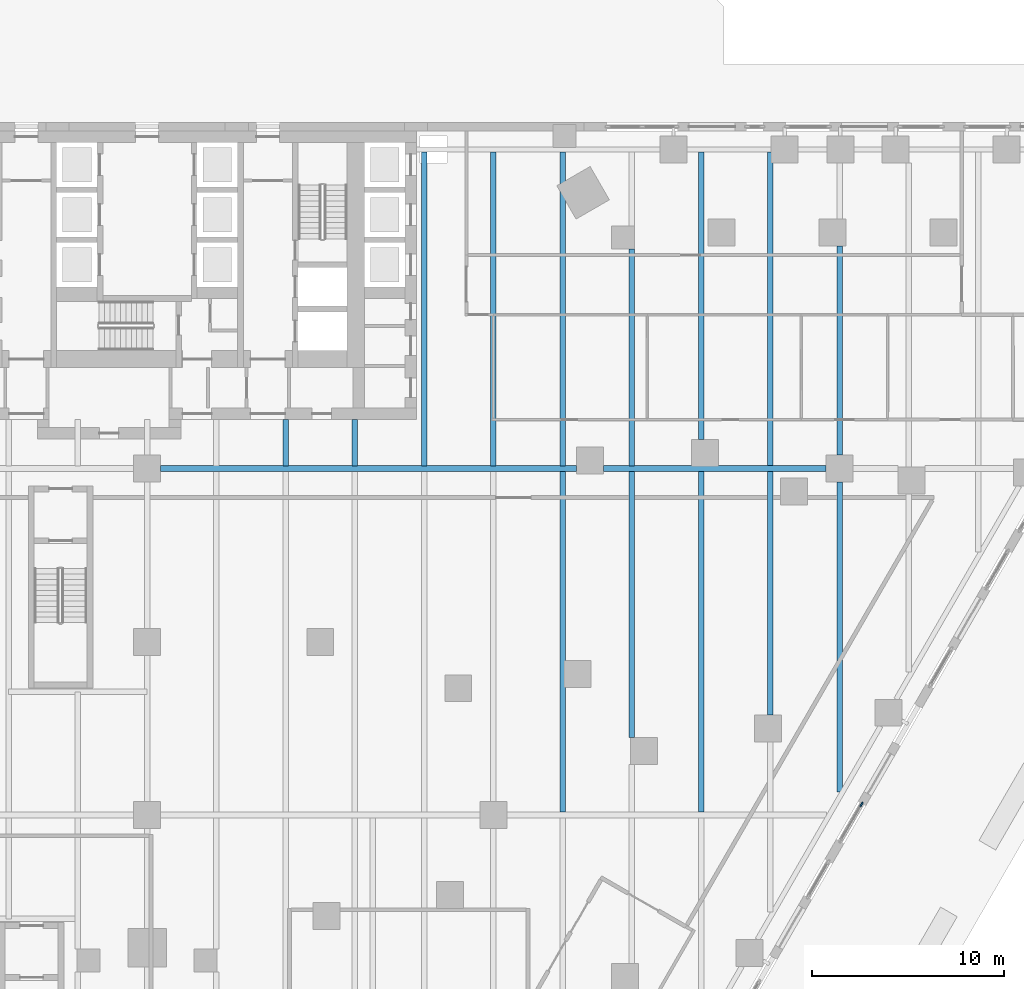
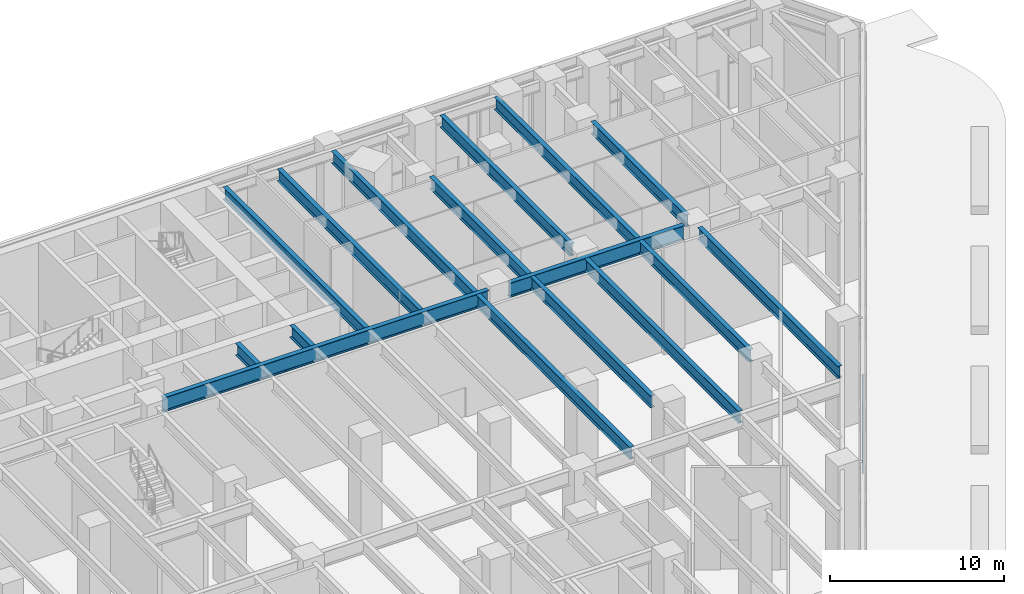
# One storey, part 14 of 37: 16 beams, 1 member, 1 element without a shape of its own.
"""IFC4 building model written with IfcOpenShell, lengths in metres."""

from ifc_helpers import new_model, si_unit, direction, frame, origin, origin_2d, place, context, subcontext, project, spatial, rectangle, i_section, extrude, material, material_profile, profile_set, type_object, element, aggregate, save


model = new_model("IFC4")

# Units and contexts
model_context = context("Model", 3, precision=1e-05, world=origin(), true_north=direction((0.0, 1.0)))
body_context = subcontext(model_context, "Body", "Model", "MODEL_VIEW")
ifc_project = project(units=[si_unit("LENGTHUNIT", "METRE"), si_unit("AREAUNIT", "SQUARE_METRE"), si_unit("VOLUMEUNIT", "CUBIC_METRE"), si_unit("PLANEANGLEUNIT", "RADIAN"), si_unit("MASSUNIT", "GRAM", prefix="KILO")], contexts=[model_context])

# Site, building, storey
site_placement = place(None, origin())
site = spatial("IfcSite", under=ifc_project, at=site_placement, CompositionType="ELEMENT")
building_placement = place(site_placement, origin())
building = spatial("IfcBuilding", under=site, at=building_placement, Name="Aloe Facet Convention Tower", CompositionType="ELEMENT")
storey_placement = place(building_placement, origin())
storey = spatial("IfcBuildingStorey", under=building, at=storey_placement, Name="L00", CompositionType="ELEMENT", Elevation=0.0)

# Curtain wall, member
ifc_material_1 = material(Name="Aluminium, anodised", Category="aluminium")
curtain_wall_type = type_object("IfcCurtainWallType", Name="EV-CW-PORTAL", PredefinedType="USERDEFINED", material=ifc_material_1)
curtain_wall_placement = place(storey_placement, origin())
curtain_wall = element("IfcCurtainWall", 1, at=curtain_wall_placement, inside=storey, type_object=curtain_wall_type, Name="CW-L00-E16A", ObjectType="ENTRANCE PORTAL GLAZING", PredefinedType="USERDEFINED")
ifc_material_2 = material(Name="Aluminium, anodised", Category="aluminium")
ifc_material_profile_1 = material_profile(ifc_material_2, rectangle(XDim=0.080078125, YDim=0.25, at=origin_2d()), Name="AL 80x250")
ifc_profile_set_1 = profile_set([ifc_material_profile_1], Name="Aluminium, anodised")
member_type = type_object("IfcMemberType", Name="EV-MULL-PORTAL", PredefinedType="MULLION", material=ifc_profile_set_1)
member_placement = place(storey_placement, frame((117.140380859375, 99.54931640625, -0.300048828125), z_axis=(0.0, 0.0, 1.0), x_axis=(-0.866025403942, 0.499999999728, 0.0)))
member = element("IfcMember", 2, at=member_placement, type_object=member_type, Name="CW-L00-E16A mullion 2", PredefinedType="MULLION", context=body_context, shape_type="SweptSolid", body=[
    extrude(rectangle(XDim=0.080078125, YDim=0.25, at=origin_2d()), origin(), (0.0, 0.0, 1.0), 6.8125),
])
aggregate(curtain_wall, [member])

# Beams
ifc_material_3 = material(Name="Steel S355", Category="steel")
ifc_material_profile_2 = material_profile(ifc_material_3, i_section(OverallWidth=0.305419921875, OverallDepth=1.02587890625, WebThickness=0.02001953125, FlangeThickness=0.031005859375, FilletRadius=0.030029296875, at=origin_2d()), Name="UB 1016x305x349")
ifc_profile_set_2 = profile_set([ifc_material_profile_2], Name="Steel S355")
beam_type_1 = type_object("IfcBeamType", Name="SF-B-UB1016x305x349", PredefinedType="BEAM", material=ifc_profile_set_2)
beam_1_placement = place(storey_placement, frame((80.699951171875, 117.0, 6.68701171875), z_axis=(1.0, 0.0, 0.0), x_axis=(0.0, 1.0, 0.0)))
element("IfcBeam", 3, at=beam_1_placement, inside=storey, type_object=beam_type_1, Name="Floor beam FB-L01-045", PredefinedType="BEAM", context=body_context, shape_type="SweptSolid", body=[
    extrude(i_section(OverallWidth=0.305419921875, OverallDepth=1.02587890625, WebThickness=0.02001953125, FlangeThickness=0.031005859375, FilletRadius=0.030029296875, at=origin_2d()), origin(), (0.0, 0.0, 1.0), 21.615966796875),
])
beam_2_placement = place(storey_placement, frame((103.716064453125, 117.0, 6.68701171875), z_axis=(1.0, 0.0, 0.0), x_axis=(0.0, 1.0, 0.0)))
element("IfcBeam", 4, at=beam_2_placement, inside=storey, type_object=beam_type_1, Name="Floor beam FB-L01-049", PredefinedType="BEAM", context=body_context, shape_type="SweptSolid", body=[
    extrude(i_section(OverallWidth=0.305419921875, OverallDepth=1.02587890625, WebThickness=0.02001953125, FlangeThickness=0.031005859375, FilletRadius=0.030029296875, at=origin_2d()), origin(), (0.0, 0.0, 1.0), 11.583984375),
])
ifc_material_4 = material(Name="Steel S355", Category="steel")
ifc_material_profile_3 = material_profile(ifc_material_4, i_section(OverallWidth=0.293701171875, OverallDepth=0.850830078125, WebThickness=0.01611328125, FlangeThickness=0.02685546875, FilletRadius=0.017822265625, at=origin_2d()), Name="UB 838x292x226")
ifc_profile_set_3 = profile_set([ifc_material_profile_3], Name="Steel S355")
beam_type_2 = type_object("IfcBeamType", Name="SF-B-UB838x292x226", PredefinedType="BEAM", material=ifc_profile_set_3)
for number, where, z_axis, x_axis, name in (
    (5, (87.199951171875, 117.152587890625, 6.774658203125), (0.0, 1.0, 0.0), (-1.0, 0.0, 0.0), "Floor beam FB-L01-130"),
    (6, (90.800048828125, 117.152587890625, 6.774658203125), (0.0, 1.0, 0.0), (-1.0, 0.0, 0.0), "Floor beam FB-L01-138"),
):
    element("IfcBeam", number, at=place(storey_placement, frame(where, z_axis=z_axis, x_axis=x_axis)), inside=storey, type_object=beam_type_2, Name=name, PredefinedType="BEAM", context=body_context, shape_type="SweptSolid", body=[
        extrude(i_section(OverallWidth=0.293701171875, OverallDepth=0.850830078125, WebThickness=0.01611328125, FlangeThickness=0.02685546875, FilletRadius=0.017822265625, at=origin_2d()), origin(), (0.0, 0.0, 1.0), 2.3974609375),
    ])
for number, where, z_axis, x_axis, name in (
    (7, (94.39990234375, 117.152587890625, 6.774658203125), (0.0, 1.0, 0.0), (-1.0, 0.0, 0.0), "Floor beam FB-L01-143"),
    (8, (98.0, 117.152587890625, 6.774658203125), (0.0, 1.0, 0.0), (-1.0, 0.0, 0.0), "Floor beam FB-L01-149"),
):
    element("IfcBeam", number, at=place(storey_placement, frame(where, z_axis=z_axis, x_axis=x_axis)), inside=storey, type_object=beam_type_2, Name=name, PredefinedType="BEAM", context=body_context, shape_type="SweptSolid", body=[
        extrude(i_section(OverallWidth=0.293701171875, OverallDepth=0.850830078125, WebThickness=0.01611328125, FlangeThickness=0.02685546875, FilletRadius=0.017822265625, at=origin_2d()), origin(), (0.0, 0.0, 1.0), 16.31005859375),
    ])
beam_3_placement = place(storey_placement, frame((101.60009765625, 99.152587890625, 6.774658203125), z_axis=(0.0, 1.0, 0.0), x_axis=(-1.0, 0.0, 0.0)))
element("IfcBeam", 9, at=beam_3_placement, inside=storey, type_object=beam_type_2, Name="Floor beam FB-L01-152", PredefinedType="BEAM", context=body_context, shape_type="SweptSolid", body=[
    extrude(i_section(OverallWidth=0.293701171875, OverallDepth=0.850830078125, WebThickness=0.01611328125, FlangeThickness=0.02685546875, FilletRadius=0.017822265625, at=origin_2d()), origin(), (0.0, 0.0, 1.0), 17.69482421875),
])
beam_4_placement = place(storey_placement, frame((101.60009765625, 117.152587890625, 6.774658203125), z_axis=(0.0, 1.0, 0.0), x_axis=(-1.0, 0.0, 0.0)))
element("IfcBeam", 10, at=beam_4_placement, inside=storey, type_object=beam_type_2, Name="Floor beam FB-L01-153", PredefinedType="BEAM", context=body_context, shape_type="SweptSolid", body=[
    extrude(i_section(OverallWidth=0.293701171875, OverallDepth=0.850830078125, WebThickness=0.01611328125, FlangeThickness=0.02685546875, FilletRadius=0.017822265625, at=origin_2d()), origin(), (0.0, 0.0, 1.0), 16.31005859375),
])
beam_5_placement = place(storey_placement, frame((105.199951171875, 103.02490234375, 6.774658203125), z_axis=(0.0, 1.0, 0.0), x_axis=(-1.0, 0.0, 0.0)))
element("IfcBeam", 11, at=beam_5_placement, inside=storey, type_object=beam_type_2, Name="Floor beam FB-L01-157", PredefinedType="BEAM", context=body_context, shape_type="SweptSolid", body=[
    extrude(i_section(OverallWidth=0.293701171875, OverallDepth=0.850830078125, WebThickness=0.01611328125, FlangeThickness=0.02685546875, FilletRadius=0.017822265625, at=origin_2d()), origin(), (0.0, 0.0, 1.0), 13.822509765625),
])
beam_6_placement = place(storey_placement, frame((105.199951171875, 117.152587890625, 6.774658203125), z_axis=(0.0, 1.0, 0.0), x_axis=(-1.0, 0.0, 0.0)))
element("IfcBeam", 12, at=beam_6_placement, inside=storey, type_object=beam_type_2, Name="Floor beam FB-L01-158", PredefinedType="BEAM", context=body_context, shape_type="SweptSolid", body=[
    extrude(i_section(OverallWidth=0.293701171875, OverallDepth=0.850830078125, WebThickness=0.01611328125, FlangeThickness=0.02685546875, FilletRadius=0.017822265625, at=origin_2d()), origin(), (0.0, 0.0, 1.0), 11.275390625),
])
beam_7_placement = place(storey_placement, frame((108.800048828125, 99.152587890625, 6.774658203125), z_axis=(0.0, 1.0, 0.0), x_axis=(-1.0, 0.0, 0.0)))
element("IfcBeam", 13, at=beam_7_placement, inside=storey, type_object=beam_type_2, Name="Floor beam FB-L01-161", PredefinedType="BEAM", context=body_context, shape_type="SweptSolid", body=[
    extrude(i_section(OverallWidth=0.293701171875, OverallDepth=0.850830078125, WebThickness=0.01611328125, FlangeThickness=0.02685546875, FilletRadius=0.017822265625, at=origin_2d()), origin(), (0.0, 0.0, 1.0), 17.69482421875),
])
beam_8_placement = place(storey_placement, frame((108.800048828125, 118.5048828125, 6.774658203125), z_axis=(0.0, 1.0, 0.0), x_axis=(-1.0, 0.0, 0.0)))
element("IfcBeam", 14, at=beam_8_placement, inside=storey, type_object=beam_type_2, Name="Floor beam FB-L01-162", PredefinedType="BEAM", context=body_context, shape_type="SweptSolid", body=[
    extrude(i_section(OverallWidth=0.293701171875, OverallDepth=0.850830078125, WebThickness=0.01611328125, FlangeThickness=0.02685546875, FilletRadius=0.017822265625, at=origin_2d()), origin(), (0.0, 0.0, 1.0), 14.957763671875),
])
beam_9_placement = place(storey_placement, frame((112.39990234375, 104.18505859375, 6.774658203125), z_axis=(0.0, 1.0, 0.0), x_axis=(-1.0, 0.0, 0.0)))
element("IfcBeam", 15, at=beam_9_placement, inside=storey, type_object=beam_type_2, Name="Floor beam FB-L01-165", PredefinedType="BEAM", context=body_context, shape_type="SweptSolid", body=[
    extrude(i_section(OverallWidth=0.293701171875, OverallDepth=0.850830078125, WebThickness=0.01611328125, FlangeThickness=0.02685546875, FilletRadius=0.017822265625, at=origin_2d()), origin(), (0.0, 0.0, 1.0), 12.662353515625),
])
beam_10_placement = place(storey_placement, frame((112.39990234375, 117.152587890625, 6.774658203125), z_axis=(0.0, 1.0, 0.0), x_axis=(-1.0, 0.0, 0.0)))
element("IfcBeam", 16, at=beam_10_placement, inside=storey, type_object=beam_type_2, Name="Floor beam FB-L01-166", PredefinedType="BEAM", context=body_context, shape_type="SweptSolid", body=[
    extrude(i_section(OverallWidth=0.293701171875, OverallDepth=0.850830078125, WebThickness=0.01611328125, FlangeThickness=0.02685546875, FilletRadius=0.017822265625, at=origin_2d()), origin(), (0.0, 0.0, 1.0), 16.31005859375),
])
beam_11_placement = place(storey_placement, frame((116.0, 100.18896484375, 6.774658203125), z_axis=(0.0, 1.0, 0.0), x_axis=(-1.0, 0.0, 0.0)))
element("IfcBeam", 17, at=beam_11_placement, inside=storey, type_object=beam_type_2, Name="Floor beam FB-L01-167", PredefinedType="BEAM", context=body_context, shape_type="SweptSolid", body=[
    extrude(i_section(OverallWidth=0.293701171875, OverallDepth=0.850830078125, WebThickness=0.01611328125, FlangeThickness=0.02685546875, FilletRadius=0.017822265625, at=origin_2d()), origin(), (0.0, 0.0, 1.0), 16.111083984375),
])
beam_12_placement = place(storey_placement, frame((116.0, 117.699951171875, 6.774658203125), z_axis=(0.0, 1.0, 0.0), x_axis=(-1.0, 0.0, 0.0)))
element("IfcBeam", 18, at=beam_12_placement, inside=storey, type_object=beam_type_2, Name="Floor beam FB-L01-168", PredefinedType="BEAM", context=body_context, shape_type="SweptSolid", body=[
    extrude(i_section(OverallWidth=0.293701171875, OverallDepth=0.850830078125, WebThickness=0.01611328125, FlangeThickness=0.02685546875, FilletRadius=0.017822265625, at=origin_2d()), origin(), (0.0, 0.0, 1.0), 10.884033203125),
])

save(model, "model.ifc")
